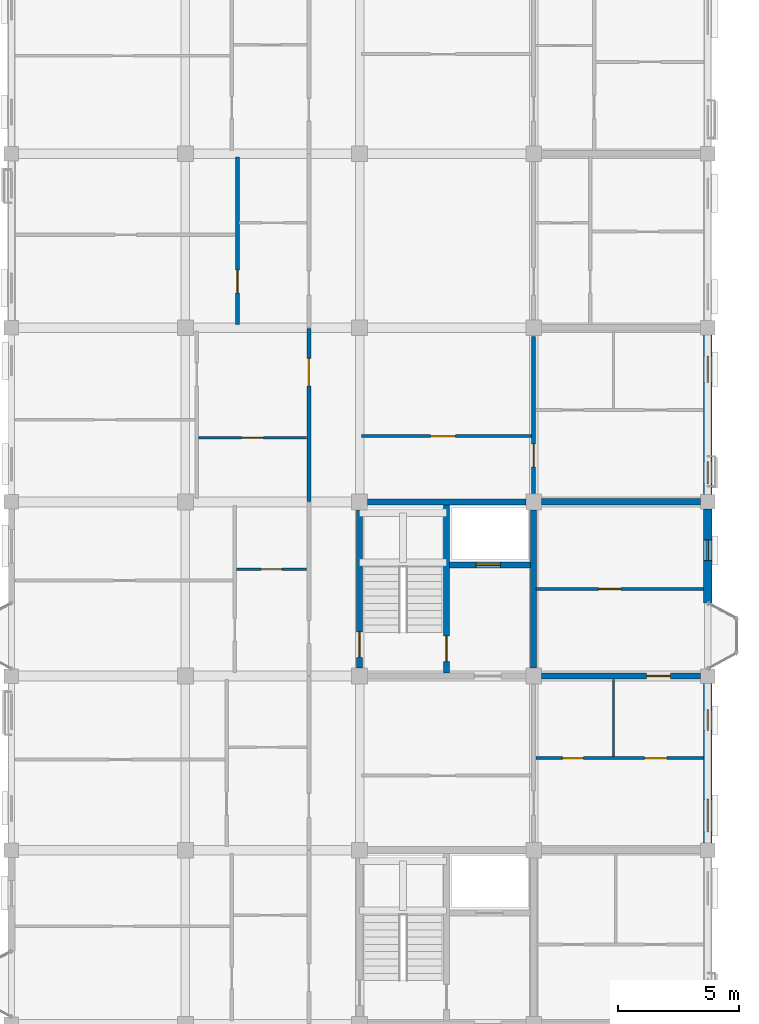
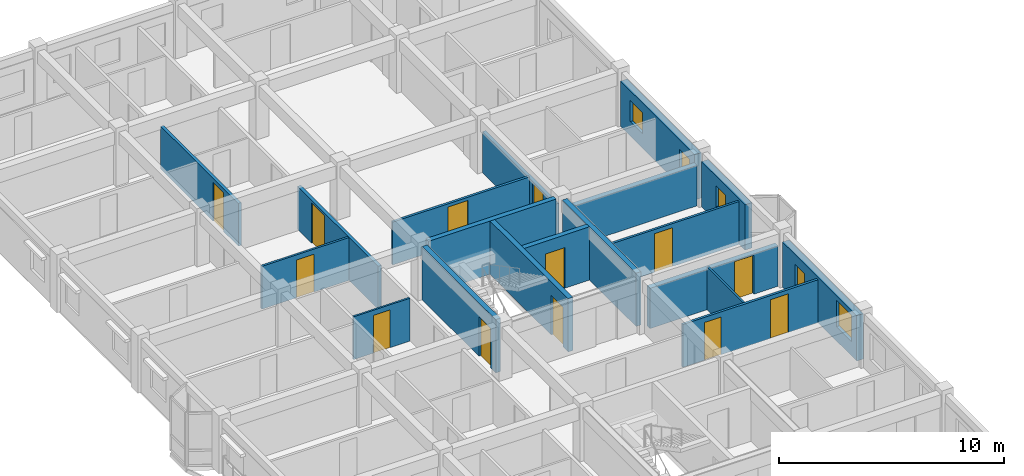
# One storey, part 103 of 124: 19 walls, 13 doors, 5 windows, 18 openings.
"""IFC4 building model written with IfcOpenShell, lengths in metres."""

from ifc_helpers import new_model, si_unit, direction, frame, frame_2d, origin, place, context, subcontext, project, spatial, rectangle, extrude, material, layer, layer_set, type_object, element, fill, save


model = new_model("IFC4")

# Units and contexts
model_context = context("Model", 3, precision=1e-05, world=origin(), true_north=direction((0.0, 1.0)))
body_context = subcontext(model_context, "Body", "Model", "MODEL_VIEW")
ifc_project = project(units=[si_unit("LENGTHUNIT", "METRE"), si_unit("AREAUNIT", "SQUARE_METRE"), si_unit("VOLUMEUNIT", "CUBIC_METRE"), si_unit("PLANEANGLEUNIT", "RADIAN"), si_unit("MASSUNIT", "GRAM", prefix="KILO"), si_unit("THERMODYNAMICTEMPERATUREUNIT", "KELVIN"), si_unit("POWERUNIT", "WATT")], contexts=[model_context])

# Site, building, storey
site_placement = place(None, origin())
site = spatial("IfcSite", under=ifc_project, at=site_placement, CompositionType="ELEMENT")
building_placement = place(site_placement, origin())
building = spatial("IfcBuilding", under=site, at=building_placement, Name="Tavuni Mirador Residences", CompositionType="ELEMENT")
storey_placement = place(building_placement, frame((0.0, 0.0, 7.64990234375)))
storey = spatial("IfcBuildingStorey", under=building, at=storey_placement, Name="L02", CompositionType="ELEMENT", Elevation=7.64990234375)

# Wall, opening, door
ifc_material_1 = material(Name="Precast concrete C40/50", Category="concrete")
ifc_layer_1 = layer(ifc_material_1, 0.25, Name="Precast concrete C40/50", Category="concrete")
ifc_layer_set_1 = layer_set([ifc_layer_1], Name="Precast concrete C40/50")
wall_type_1 = type_object("IfcWallType", Name="WT-COR250", PredefinedType="SHEAR", material=ifc_layer_set_1)
wall_1_placement = place(storey_placement, frame((104.39990234375, 108.324951171875, 0.0), z_axis=(0.0, 0.0, 1.0), x_axis=(0.0, 1.0, 0.0)))
wall_1 = element("IfcWall", 1, at=wall_1_placement, inside=storey, type_object=wall_type_1, Name="CWALL-C8-L02-W", PredefinedType="SHEAR", context=body_context, shape_type="SweptSolid", body=[
    extrude(rectangle(XDim=6.550048828125, YDim=0.25, at=frame_2d((3.27490234375, 0.0))), origin(), (0.0, 0.0, 1.0), 2.89013671875),
])
opening_1_placement = place(wall_1_placement, frame((0.449951171875, 0.0, 0.0)))
opening_1 = element("IfcOpeningElement", 2, at=opening_1_placement, cuts=wall_1, Name="Opening D-01", PredefinedType="OPENING", context=body_context, shape_type="SweptSolid", body=[
    extrude(rectangle(XDim=1.050048828125, YDim=2.14990234375, at=frame_2d((0.52490234375, 1.074951171875))), frame((0.0, 0.135009765625, 0.0), z_axis=(0.0, -1.0, 0.0), x_axis=(1.0, 0.0, 0.0)), (0.0, 0.0, 1.0), 0.27001953125),
])
ifc_material_2 = material(Name="Solid core iroko timber", Category="wood")
door_type_1 = type_object("IfcDoorType", Name="DT-ST1050", OperationType="NOTDEFINED", PredefinedType="DOOR", material=ifc_material_2)
door_1_placement = place(opening_1_placement, origin())
door_1 = element("IfcDoor", 3, at=door_1_placement, inside=storey, type_object=door_type_1, Name="DR-2321", OperationType="SINGLE_SWING_RIGHT", OverallHeight=2.14990234375, OverallWidth=1.050048828125, PredefinedType="DOOR", context=body_context, shape_type="SweptSolid", body=[
    extrude(rectangle(XDim=1.050048828125, YDim=2.14990234375, at=frame_2d((0.52490234375, 1.074951171875))), frame((0.0, 0.02490234375, 0.0), z_axis=(0.0, -1.0, 0.0), x_axis=(1.0, 0.0, 0.0)), (0.0, 0.0, 1.0), 0.050048828125),
])
fill(opening_1, door_1)

# Walls
wall_2_placement = place(storey_placement, frame((104.72509765625, 115.199951171875, 0.0), z_axis=(0.0, 0.0, 1.0), x_axis=(1.0, 0.0, 0.0)))
element("IfcWall", 4, at=wall_2_placement, inside=storey, type_object=wall_type_1, Name="CWALL-C8-L02-N", PredefinedType="SHEAR", context=body_context, shape_type="SweptSolid", body=[
    extrude(rectangle(XDim=6.5498046875, YDim=0.25, at=frame_2d((3.27490234375, 0.0))), origin(), (0.0, 0.0, 1.0), 2.89013671875),
])
wall_3_placement = place(storey_placement, frame((111.60009765625, 108.324951171875, 0.0), z_axis=(0.0, 0.0, 1.0), x_axis=(0.0, 1.0, 0.0)))
element("IfcWall", 5, at=wall_3_placement, inside=storey, type_object=wall_type_1, Name="CWALL-C8-L02-E", PredefinedType="SHEAR", context=body_context, shape_type="SweptSolid", body=[
    extrude(rectangle(XDim=6.550048828125, YDim=0.25, at=frame_2d((3.27490234375, 0.0))), origin(), (0.0, 0.0, 1.0), 2.89013671875),
])

# Wall, opening, door
wall_4_placement = place(storey_placement, frame((108.0, 108.125, 0.0), z_axis=(0.0, 0.0, 1.0), x_axis=(0.0, 1.0, 0.0)))
wall_4 = element("IfcWall", 6, at=wall_4_placement, inside=storey, type_object=wall_type_1, Name="CWALL-C8-L02-MID", PredefinedType="SHEAR", context=body_context, shape_type="SweptSolid", body=[
    extrude(rectangle(XDim=6.949951171875, YDim=0.25, at=frame_2d((3.47509765625, 0.0))), origin(), (0.0, 0.0, 1.0), 2.89013671875),
])
opening_2_placement = place(wall_4_placement, frame((0.47509765625, 0.0, 0.0)))
opening_2 = element("IfcOpeningElement", 7, at=opening_2_placement, cuts=wall_4, Name="Opening D-01", PredefinedType="OPENING", context=body_context, shape_type="SweptSolid", body=[
    extrude(rectangle(XDim=1.050048828125, YDim=2.14990234375, at=frame_2d((0.52490234375, 1.074951171875))), frame((0.0, 0.135009765625, 0.0), z_axis=(0.0, -1.0, 0.0), x_axis=(1.0, 0.0, 0.0)), (0.0, 0.0, 1.0), 0.27001953125),
])
door_2_placement = place(opening_2_placement, origin())
door_2 = element("IfcDoor", 8, at=door_2_placement, inside=storey, type_object=door_type_1, Name="DR-2323", OperationType="SINGLE_SWING_LEFT", OverallHeight=2.14990234375, OverallWidth=1.050048828125, PredefinedType="DOOR", context=body_context, shape_type="SweptSolid", body=[
    extrude(rectangle(XDim=1.050048828125, YDim=2.14990234375, at=frame_2d((0.52490234375, 1.074951171875))), frame((0.0, 0.02490234375, 0.0), z_axis=(0.0, -1.0, 0.0), x_axis=(1.0, 0.0, 0.0)), (0.0, 0.0, 1.0), 0.050048828125),
])
fill(opening_2, door_2)

wall_5_placement = place(storey_placement, frame((108.125, 112.60009765625, 0.0), z_axis=(0.0, 0.0, 1.0), x_axis=(1.0, 0.0, 0.0)))
wall_5 = element("IfcWall", 9, at=wall_5_placement, inside=storey, type_object=wall_type_1, Name="CWALL-C8-L02-SHF", PredefinedType="SHEAR", context=body_context, shape_type="SweptSolid", body=[
    extrude(rectangle(XDim=3.35009765625, YDim=0.25, at=frame_2d((1.675048828125, 0.0))), origin(), (0.0, 0.0, 1.0), 2.89013671875),
])
opening_3_placement = place(wall_5_placement, frame((1.10009765625, 0.0, 0.0)))
opening_3 = element("IfcOpeningElement", 10, at=opening_3_placement, cuts=wall_5, Name="Opening LD-02", PredefinedType="OPENING", context=body_context, shape_type="SweptSolid", body=[
    extrude(rectangle(XDim=1.0, YDim=2.199951171875, at=frame_2d((0.5, 1.10009765625))), frame((0.0, 0.135009765625, 0.0), z_axis=(0.0, -1.0, 0.0), x_axis=(1.0, 0.0, 0.0)), (0.0, 0.0, 1.0), 0.27001953125),
])
ifc_material_3 = material(Name="Structural steel S355", Category="steel")
door_type_2 = type_object("IfcDoorType", Name="DT-LD-PAX", OperationType="SLIDING_TO_LEFT", PredefinedType="DOOR", material=ifc_material_3)
door_3_placement = place(opening_3_placement, origin())
door_3 = element("IfcDoor", 11, at=door_3_placement, inside=storey, type_object=door_type_2, Name="Lift landing door PL-D1 L02", OperationType="SLIDING_TO_LEFT", OverallHeight=2.199951171875, OverallWidth=1.0, PredefinedType="DOOR", context=body_context, shape_type="SweptSolid", body=[
    extrude(rectangle(XDim=1.0, YDim=2.199951171875, at=frame_2d((0.5, 1.10009765625))), frame((0.0, 0.02490234375, 0.0), z_axis=(0.0, -1.0, 0.0), x_axis=(1.0, 0.0, 0.0)), (0.0, 0.0, 1.0), 0.050048828125),
])
fill(opening_3, door_3)

ifc_layer_2 = layer(ifc_material_1, 0.1650390625, Name="Precast concrete C40/50", Category="concrete")
ifc_layer_set_2 = layer_set([ifc_layer_2], Name="Precast concrete C40/50")
wall_type_2 = type_object("IfcWallType", Name="WT-CORR165", PredefinedType="PARTITIONING", material=ifc_layer_set_2)
wall_6_placement = place(storey_placement, frame((102.300048828125, 115.219970703125, 0.0), z_axis=(0.0, 0.0, 1.0), x_axis=(0.0, 1.0, 0.0)))
wall_6 = element("IfcWall", 12, at=wall_6_placement, inside=storey, type_object=wall_type_2, Name="CORW-BLK-D-L02-0-04", PredefinedType="PARTITIONING", context=body_context, shape_type="SweptSolid", body=[
    extrude(rectangle(XDim=7.159912109375, YDim=0.1650390625, at=frame_2d((3.580078125, 0.0))), origin(), (0.0, 0.0, 1.0), 2.3251953125),
])
opening_4_placement = place(wall_6_placement, frame((4.780029296875, 0.0, 0.0)))
opening_4 = element("IfcOpeningElement", 13, at=opening_4_placement, cuts=wall_6, Name="Opening D-20", PredefinedType="OPENING", context=body_context, shape_type="SweptSolid", body=[
    extrude(rectangle(XDim=1.139892578125, YDim=2.179931640625, at=frame_2d((0.56982421875, 1.08984375))), frame((0.0, 0.092529296875, 0.0), z_axis=(0.0, -1.0, 0.0), x_axis=(1.0, 0.0, 0.0)), (0.0, 0.0, 1.0), 0.18505859375),
])
door_type_3 = type_object("IfcDoorType", Name="DT-FD60-1140", OperationType="NOTDEFINED", PredefinedType="DOOR", material=ifc_material_2)
door_4_placement = place(opening_4_placement, origin())
door_4 = element("IfcDoor", 14, at=door_4_placement, inside=storey, type_object=door_type_3, Name="DR-2837", OperationType="SINGLE_SWING_RIGHT", OverallHeight=2.179931640625, OverallWidth=1.139892578125, PredefinedType="DOOR", context=body_context, shape_type="SweptSolid", body=[
    extrude(rectangle(XDim=1.139892578125, YDim=2.179931640625, at=frame_2d((0.56982421875, 1.08984375))), frame((0.0, 0.02490234375, 0.0), z_axis=(0.0, -1.0, 0.0), x_axis=(1.0, 0.0, 0.0)), (0.0, 0.0, 1.0), 0.050048828125),
])
fill(opening_4, door_4)

wall_7_placement = place(storey_placement, frame((111.60009765625, 115.550048828125, 0.0), z_axis=(0.0, 0.0, 1.0), x_axis=(0.0, 1.0, 0.0)))
wall_7 = element("IfcWall", 15, at=wall_7_placement, inside=storey, type_object=wall_type_2, Name="CORW-BLK-D-L02-1-04", PredefinedType="PARTITIONING", context=body_context, shape_type="SweptSolid", body=[
    extrude(rectangle(XDim=6.5, YDim=0.1650390625, at=frame_2d((3.25, 0.0))), origin(), (0.0, 0.0, 1.0), 2.239990234375),
])
opening_5_placement = place(wall_7_placement, frame((1.10009765625, 0.0, 0.0)))
opening_5 = element("IfcOpeningElement", 16, at=opening_5_placement, cuts=wall_7, Name="Opening D-19", PredefinedType="OPENING", context=body_context, shape_type="SweptSolid", body=[
    extrude(rectangle(XDim=0.93994140625, YDim=2.1201171875, at=frame_2d((0.469970703125, 1.06005859375))), frame((0.0, 0.092529296875, 0.0), z_axis=(0.0, -1.0, 0.0), x_axis=(1.0, 0.0, 0.0)), (0.0, 0.0, 1.0), 0.18505859375),
])
door_type_4 = type_object("IfcDoorType", Name="DT-FD60-940", OperationType="NOTDEFINED", PredefinedType="DOOR", material=ifc_material_2)
door_5_placement = place(opening_5_placement, origin())
door_5 = element("IfcDoor", 17, at=door_5_placement, inside=storey, type_object=door_type_4, Name="DR-2842", OperationType="SINGLE_SWING_LEFT", OverallHeight=2.1201171875, OverallWidth=0.93994140625, PredefinedType="DOOR", context=body_context, shape_type="SweptSolid", body=[
    extrude(rectangle(XDim=0.93994140625, YDim=2.1201171875, at=frame_2d((0.469970703125, 1.06005859375))), frame((0.0, 0.02490234375, 0.0), z_axis=(0.0, -1.0, 0.0), x_axis=(1.0, 0.0, 0.0)), (0.0, 0.0, 1.0), 0.050048828125),
])
fill(opening_5, door_5)

# Wall, openings, windows
ifc_material_4 = material(Name="Sgraffito lime-rendered precast concrete C40/50", Category="concrete")
ifc_layer_3 = layer(ifc_material_4, 0.344970703125, Name="Sgraffito lime-rendered precast concrete C40/50", Category="concrete")
ifc_layer_set_3 = layer_set([ifc_layer_3], Name="Sgraffito lime-rendered precast concrete C40/50")
wall_type_3 = type_object("IfcWallType", Name="WT-EXT-PTY345", PredefinedType="SOLIDWALL", material=ifc_layer_set_3)
wall_8_placement = place(storey_placement, frame((118.800048828125, 101.10009765625, 0.0), z_axis=(0.0, 0.0, 1.0), x_axis=(0.0, 1.0, 0.0)))
wall_8 = element("IfcWall", 18, at=wall_8_placement, inside=storey, type_object=wall_type_3, Name="EW-BLK-D-L02-E02", PredefinedType="SOLIDWALL", context=body_context, shape_type="SweptSolid", body=[
    extrude(rectangle(XDim=6.599853515625, YDim=0.344970703125, at=frame_2d((3.2998046875, 0.0))), origin(), (0.0, 0.0, 1.0), 2.460205078125),
])
opening_6_placement = place(wall_8_placement, frame((0.449951171875, 0.0, 0.780029296875)))
opening_6 = element("IfcOpeningElement", 19, at=opening_6_placement, cuts=wall_8, Name="Opening WN-29", PredefinedType="OPENING", context=body_context, shape_type="SweptSolid", body=[
    extrude(rectangle(XDim=1.35009765625, YDim=1.43994140625, at=frame_2d((0.675048828125, 0.719970703125))), frame((0.0, 0.1826171875, 0.0), z_axis=(0.0, -1.0, 0.0), x_axis=(1.0, 0.0, 0.0)), (0.0, 0.0, 1.0), 0.364990234375),
])
opening_7_placement = place(wall_8_placement, frame((4.64990234375, 0.0, 0.780029296875)))
opening_7 = element("IfcOpeningElement", 20, at=opening_7_placement, cuts=wall_8, Name="Opening WN-01", PredefinedType="OPENING", context=body_context, shape_type="SweptSolid", body=[
    extrude(rectangle(XDim=0.85009765625, YDim=1.14990234375, at=frame_2d((0.425048828125, 0.574951171875))), frame((0.0, 0.1826171875, 0.0), z_axis=(0.0, -1.0, 0.0), x_axis=(1.0, 0.0, 0.0)), (0.0, 0.0, 1.0), 0.364990234375),
])
ifc_material_5 = material(Name="Laminated solar-control glass", Category="glass")
window_type_1 = type_object("IfcWindowType", Name="WNT-01", PartitioningType="SINGLE_PANEL", PredefinedType="WINDOW", material=ifc_material_5)
window_1_placement = place(opening_7_placement, origin())
window_1 = element("IfcWindow", 21, at=window_1_placement, inside=storey, type_object=window_type_1, Name="WIN-1497", OverallHeight=1.14990234375, OverallWidth=0.85009765625, PartitioningType="SINGLE_PANEL", PredefinedType="WINDOW", context=body_context, shape_type="SweptSolid", body=[
    extrude(rectangle(XDim=0.85009765625, YDim=1.14990234375, at=frame_2d((0.425048828125, 0.574951171875))), frame((0.0, 0.030029296875, 0.0), z_axis=(0.0, -1.0, 0.0), x_axis=(1.0, 0.0, 0.0)), (0.0, 0.0, 1.0), 0.06005859375),
])
fill(opening_7, window_1)
window_type_2 = type_object("IfcWindowType", Name="WNT-29", PartitioningType="SINGLE_PANEL", PredefinedType="WINDOW", material=ifc_material_5)
window_2_placement = place(opening_6_placement, origin())
window_2 = element("IfcWindow", 22, at=window_2_placement, inside=storey, type_object=window_type_2, Name="WIN-1496", OverallHeight=1.43994140625, OverallWidth=1.35009765625, PartitioningType="SINGLE_PANEL", PredefinedType="WINDOW", context=body_context, shape_type="SweptSolid", body=[
    extrude(rectangle(XDim=1.35009765625, YDim=1.43994140625, at=frame_2d((0.675048828125, 0.719970703125))), frame((0.0, 0.030029296875, 0.0), z_axis=(0.0, -1.0, 0.0), x_axis=(1.0, 0.0, 0.0)), (0.0, 0.0, 1.0), 0.06005859375),
])
fill(opening_6, window_2)

# Wall, opening, window
wall_9_placement = place(storey_placement, frame((118.800048828125, 111.02001953125, 0.0), z_axis=(0.0, 0.0, 1.0), x_axis=(0.0, 1.0, 0.0)))
wall_9 = element("IfcWall", 23, at=wall_9_placement, inside=storey, type_object=wall_type_3, Name="EW-BLK-D-L02-E03", PredefinedType="SOLIDWALL", context=body_context, shape_type="SweptSolid", body=[
    extrude(rectangle(XDim=3.8798828125, YDim=0.344970703125, at=frame_2d((1.93994140625, 0.0))), origin(), (0.0, 0.0, 1.0), 2.460205078125),
])
opening_8_placement = place(wall_9_placement, frame((1.75, 0.0, 0.780029296875)))
opening_8 = element("IfcOpeningElement", 24, at=opening_8_placement, cuts=wall_9, Name="Opening WN-01", PredefinedType="OPENING", context=body_context, shape_type="SweptSolid", body=[
    extrude(rectangle(XDim=0.85009765625, YDim=1.14990234375, at=frame_2d((0.425048828125, 0.574951171875))), frame((0.0, 0.1826171875, 0.0), z_axis=(0.0, -1.0, 0.0), x_axis=(1.0, 0.0, 0.0)), (0.0, 0.0, 1.0), 0.364990234375),
])
window_3_placement = place(opening_8_placement, origin())
window_3 = element("IfcWindow", 25, at=window_3_placement, inside=storey, type_object=window_type_1, Name="WIN-1498", OverallHeight=1.14990234375, OverallWidth=0.85009765625, PartitioningType="SINGLE_PANEL", PredefinedType="WINDOW", context=body_context, shape_type="SweptSolid", body=[
    extrude(rectangle(XDim=0.85009765625, YDim=1.14990234375, at=frame_2d((0.425048828125, 0.574951171875))), frame((0.0, 0.030029296875, 0.0), z_axis=(0.0, -1.0, 0.0), x_axis=(1.0, 0.0, 0.0)), (0.0, 0.0, 1.0), 0.06005859375),
])
fill(opening_8, window_3)

# Wall, openings, windows
wall_10_placement = place(storey_placement, frame((118.800048828125, 115.5, 0.0), z_axis=(0.0, 0.0, 1.0), x_axis=(0.0, 1.0, 0.0)))
wall_10 = element("IfcWall", 26, at=wall_10_placement, inside=storey, type_object=wall_type_3, Name="EW-BLK-D-L02-E04", PredefinedType="SOLIDWALL", context=body_context, shape_type="SweptSolid", body=[
    extrude(rectangle(XDim=6.60009765625, YDim=0.344970703125, at=frame_2d((3.300048828125, 0.0))), origin(), (0.0, 0.0, 1.0), 2.460205078125),
])
opening_9_placement = place(wall_10_placement, frame((0.449951171875, 0.0, 0.780029296875)))
opening_9 = element("IfcOpeningElement", 27, at=opening_9_placement, cuts=wall_10, Name="Opening WN-02", PredefinedType="OPENING", context=body_context, shape_type="SweptSolid", body=[
    extrude(rectangle(XDim=0.919921875, YDim=1.14990234375, at=frame_2d((0.4599609375, 0.574951171875))), frame((0.0, 0.1826171875, 0.0), z_axis=(0.0, -1.0, 0.0), x_axis=(1.0, 0.0, 0.0)), (0.0, 0.0, 1.0), 0.364990234375),
])
opening_10_placement = place(wall_10_placement, frame((4.64990234375, 0.0, 0.780029296875)))
opening_10 = element("IfcOpeningElement", 28, at=opening_10_placement, cuts=wall_10, Name="Opening WN-04", PredefinedType="OPENING", context=body_context, shape_type="SweptSolid", body=[
    extrude(rectangle(XDim=1.080078125, YDim=1.14990234375, at=frame_2d((0.5400390625, 0.574951171875))), frame((0.0, 0.1826171875, 0.0), z_axis=(0.0, -1.0, 0.0), x_axis=(1.0, 0.0, 0.0)), (0.0, 0.0, 1.0), 0.364990234375),
])
window_type_3 = type_object("IfcWindowType", Name="WNT-02", PartitioningType="SINGLE_PANEL", PredefinedType="WINDOW", material=ifc_material_5)
window_4_placement = place(opening_9_placement, origin())
window_4 = element("IfcWindow", 29, at=window_4_placement, inside=storey, type_object=window_type_3, Name="WIN-1499", OverallHeight=1.14990234375, OverallWidth=0.919921875, PartitioningType="SINGLE_PANEL", PredefinedType="WINDOW", context=body_context, shape_type="SweptSolid", body=[
    extrude(rectangle(XDim=0.919921875, YDim=1.14990234375, at=frame_2d((0.4599609375, 0.574951171875))), frame((0.0, 0.030029296875, 0.0), z_axis=(0.0, -1.0, 0.0), x_axis=(1.0, 0.0, 0.0)), (0.0, 0.0, 1.0), 0.06005859375),
])
fill(opening_9, window_4)
window_type_4 = type_object("IfcWindowType", Name="WNT-04", PartitioningType="SINGLE_PANEL", PredefinedType="WINDOW", material=ifc_material_5)
window_5_placement = place(opening_10_placement, origin())
window_5 = element("IfcWindow", 30, at=window_5_placement, inside=storey, type_object=window_type_4, Name="WIN-1500", OverallHeight=1.14990234375, OverallWidth=1.080078125, PartitioningType="SINGLE_PANEL", PredefinedType="WINDOW", context=body_context, shape_type="SweptSolid", body=[
    extrude(rectangle(XDim=1.080078125, YDim=1.14990234375, at=frame_2d((0.5400390625, 0.574951171875))), frame((0.0, 0.030029296875, 0.0), z_axis=(0.0, -1.0, 0.0), x_axis=(1.0, 0.0, 0.0)), (0.0, 0.0, 1.0), 0.06005859375),
])
fill(opening_10, window_5)

# Wall
ifc_material_6 = material(Name="Acoustic gypsum and concrete block partition", Category="concrete")
ifc_layer_4 = layer(ifc_material_6, 0.094970703125, Name="Acoustic gypsum and concrete block partition", Category="concrete")
ifc_layer_set_4 = layer_set([ifc_layer_4], Name="Acoustic gypsum and concrete block partition")
wall_type_4 = type_object("IfcWallType", Name="WT-PART095", PredefinedType="PARTITIONING", material=ifc_layer_set_4)
wall_11_placement = place(storey_placement, frame((114.89990234375, 104.669921875, 0.0), z_axis=(0.0, 0.0, 1.0), x_axis=(0.0, 1.0, 0.0)))
element("IfcWall", 31, at=wall_11_placement, inside=storey, type_object=wall_type_4, Name="PW-BLK-D-L02-PF02-V", PredefinedType="PARTITIONING", context=body_context, shape_type="SweptSolid", body=[
    extrude(rectangle(XDim=3.190185546875, YDim=0.094970703125, at=frame_2d((1.59521484375, 0.0))), origin(), (0.0, 0.0, 1.0), 2.3251953125),
])

# Wall, opening, door
wall_12_placement = place(storey_placement, frame((99.31005859375, 112.419921875, 0.0), z_axis=(0.0, 0.0, 1.0), x_axis=(1.0, 0.0, 0.0)))
wall_12 = element("IfcWall", 32, at=wall_12_placement, inside=storey, type_object=wall_type_4, Name="PW-BLK-D-L02-W03-IN1", PredefinedType="PARTITIONING", context=body_context, shape_type="SweptSolid", body=[
    extrude(rectangle(XDim=2.89990234375, YDim=0.094970703125, at=frame_2d((1.449951171875, 0.0))), origin(), (0.0, 0.0, 1.0), 2.3251953125),
])
opening_11_placement = place(wall_12_placement, frame((1.014892578125, 0.0, 0.0)))
opening_11 = element("IfcOpeningElement", 33, at=opening_11_placement, cuts=wall_12, Name="Opening D-10", PredefinedType="OPENING", context=body_context, shape_type="SweptSolid", body=[
    extrude(rectangle(XDim=0.8701171875, YDim=2.050048828125, at=frame_2d((0.43505859375, 1.02490234375))), frame((0.0, 0.0576171875, 0.0), z_axis=(0.0, -1.0, 0.0), x_axis=(1.0, 0.0, 0.0)), (0.0, 0.0, 1.0), 0.114990234375),
])
door_type_5 = type_object("IfcDoorType", Name="DT-WC870", OperationType="NOTDEFINED", PredefinedType="DOOR", material=ifc_material_2)
door_6_placement = place(opening_11_placement, origin())
door_6 = element("IfcDoor", 34, at=door_6_placement, inside=storey, type_object=door_type_5, Name="DR-4370", OperationType="SINGLE_SWING_LEFT", OverallHeight=2.050048828125, OverallWidth=0.8701171875, PredefinedType="DOOR", context=body_context, shape_type="SweptSolid", body=[
    extrude(rectangle(XDim=0.8701171875, YDim=2.050048828125, at=frame_2d((0.43505859375, 1.02490234375))), frame((0.0, 0.02490234375, 0.0), z_axis=(0.0, -1.0, 0.0), x_axis=(1.0, 0.0, 0.0)), (0.0, 0.0, 1.0), 0.050048828125),
])
fill(opening_11, door_6)

ifc_layer_5 = layer(ifc_material_6, 0.10498046875, Name="Acoustic gypsum and concrete block partition", Category="concrete")
ifc_layer_set_5 = layer_set([ifc_layer_5], Name="Acoustic gypsum and concrete block partition")
wall_type_5 = type_object("IfcWallType", Name="WT-PART105", PredefinedType="PARTITIONING", material=ifc_layer_set_5)
wall_13_placement = place(storey_placement, frame((97.739990234375, 117.85009765625, 0.0), z_axis=(0.0, 0.0, 1.0), x_axis=(1.0, 0.0, 0.0)))
wall_13 = element("IfcWall", 35, at=wall_13_placement, inside=storey, type_object=wall_type_5, Name="PW-BLK-D-L02-W04-IN1", PredefinedType="PARTITIONING", context=body_context, shape_type="SweptSolid", body=[
    extrude(rectangle(XDim=4.469970703125, YDim=0.10498046875, at=frame_2d((2.23486328125, 0.0))), origin(), (0.0, 0.0, 1.0), 2.3251953125),
])
opening_12_placement = place(wall_13_placement, frame((1.784912109375, 0.0, 0.0)))
opening_12 = element("IfcOpeningElement", 36, at=opening_12_placement, cuts=wall_13, Name="Opening D-09", PredefinedType="OPENING", context=body_context, shape_type="SweptSolid", body=[
    extrude(rectangle(XDim=0.89990234375, YDim=2.050048828125, at=frame_2d((0.449951171875, 1.02490234375))), frame((0.0, 0.0625, 0.0), z_axis=(0.0, -1.0, 0.0), x_axis=(1.0, 0.0, 0.0)), (0.0, 0.0, 1.0), 0.125),
])
door_type_6 = type_object("IfcDoorType", Name="DT-WC900", OperationType="NOTDEFINED", PredefinedType="DOOR", material=ifc_material_2)
door_7_placement = place(opening_12_placement, origin())
door_7 = element("IfcDoor", 37, at=door_7_placement, inside=storey, type_object=door_type_6, Name="DR-4375", OperationType="SINGLE_SWING_RIGHT", OverallHeight=2.050048828125, OverallWidth=0.89990234375, PredefinedType="DOOR", context=body_context, shape_type="SweptSolid", body=[
    extrude(rectangle(XDim=0.89990234375, YDim=2.050048828125, at=frame_2d((0.449951171875, 1.02490234375))), frame((0.0, 0.02490234375, 0.0), z_axis=(0.0, -1.0, 0.0), x_axis=(1.0, 0.0, 0.0)), (0.0, 0.0, 1.0), 0.050048828125),
])
fill(opening_12, door_7)

ifc_layer_6 = layer(ifc_material_6, 0.114990234375, Name="Acoustic gypsum and concrete block partition", Category="concrete")
ifc_layer_set_6 = layer_set([ifc_layer_6], Name="Acoustic gypsum and concrete block partition")
wall_type_6 = type_object("IfcWallType", Name="WT-PART115", PredefinedType="PARTITIONING", material=ifc_layer_set_6)
wall_14_placement = place(storey_placement, frame((111.68994140625, 111.60009765625, 0.0), z_axis=(0.0, 0.0, 1.0), x_axis=(1.0, 0.0, 0.0)))
wall_14 = element("IfcWall", 38, at=wall_14_placement, inside=storey, type_object=wall_type_6, Name="PW-BLK-D-L02-PF03-H", PredefinedType="PARTITIONING", context=body_context, shape_type="SweptSolid", body=[
    extrude(rectangle(XDim=6.93505859375, YDim=0.114990234375, at=frame_2d((3.467529296875, 0.0))), origin(), (0.0, 0.0, 1.0), 2.3251953125),
])
opening_13_placement = place(wall_14_placement, frame((2.60009765625, 0.0, 0.0)))
opening_13 = element("IfcOpeningElement", 39, at=opening_13_placement, cuts=wall_14, Name="Opening D-06", PredefinedType="OPENING", context=body_context, shape_type="SweptSolid", body=[
    extrude(rectangle(XDim=0.919921875, YDim=2.10009765625, at=frame_2d((0.4599609375, 1.050048828125))), frame((0.0, 0.0673828125, 0.0), z_axis=(0.0, -1.0, 0.0), x_axis=(1.0, 0.0, 0.0)), (0.0, 0.0, 1.0), 0.135009765625),
])
door_type_7 = type_object("IfcDoorType", Name="DT-INT920", OperationType="NOTDEFINED", PredefinedType="DOOR", material=ifc_material_2)
door_8_placement = place(opening_13_placement, origin())
door_8 = element("IfcDoor", 40, at=door_8_placement, inside=storey, type_object=door_type_7, Name="DR-4372", OperationType="SINGLE_SWING_RIGHT", OverallHeight=2.10009765625, OverallWidth=0.919921875, PredefinedType="DOOR", context=body_context, shape_type="SweptSolid", body=[
    extrude(rectangle(XDim=0.919921875, YDim=2.10009765625, at=frame_2d((0.4599609375, 1.050048828125))), frame((0.0, 0.02490234375, 0.0), z_axis=(0.0, -1.0, 0.0), x_axis=(1.0, 0.0, 0.0)), (0.0, 0.0, 1.0), 0.050048828125),
])
fill(opening_13, door_8)

# Wall, openings, doors
ifc_layer_7 = layer(ifc_material_6, 0.125, Name="Acoustic gypsum and concrete block partition", Category="concrete")
ifc_layer_set_7 = layer_set([ifc_layer_7], Name="Acoustic gypsum and concrete block partition")
wall_type_7 = type_object("IfcWallType", Name="WT-PART125", PredefinedType="PARTITIONING", material=ifc_layer_set_7)
wall_15_placement = place(storey_placement, frame((111.68994140625, 104.60009765625, 0.0), z_axis=(0.0, 0.0, 1.0), x_axis=(1.0, 0.0, 0.0)))
wall_15 = element("IfcWall", 41, at=wall_15_placement, inside=storey, type_object=wall_type_7, Name="PW-BLK-D-L02-PF02-H", PredefinedType="PARTITIONING", context=body_context, shape_type="SweptSolid", body=[
    extrude(rectangle(XDim=6.93505859375, YDim=0.125, at=frame_2d((3.467529296875, 0.0))), origin(), (0.0, 0.0, 1.0), 2.3251953125),
])
opening_14_placement = place(wall_15_placement, frame((1.10009765625, 0.0, 0.0)))
opening_14 = element("IfcOpeningElement", 42, at=opening_14_placement, cuts=wall_15, Name="Opening D-10", PredefinedType="OPENING", context=body_context, shape_type="SweptSolid", body=[
    extrude(rectangle(XDim=0.8701171875, YDim=2.050048828125, at=frame_2d((0.43505859375, 1.02490234375))), frame((0.0, 0.072509765625, 0.0), z_axis=(0.0, -1.0, 0.0), x_axis=(1.0, 0.0, 0.0)), (0.0, 0.0, 1.0), 0.14501953125),
])
opening_15_placement = place(wall_15_placement, frame((4.5, 0.0, 0.0)))
opening_15 = element("IfcOpeningElement", 43, at=opening_15_placement, cuts=wall_15, Name="Opening D-06", PredefinedType="OPENING", context=body_context, shape_type="SweptSolid", body=[
    extrude(rectangle(XDim=0.919921875, YDim=2.10009765625, at=frame_2d((0.4599609375, 1.050048828125))), frame((0.0, 0.072509765625, 0.0), z_axis=(0.0, -1.0, 0.0), x_axis=(1.0, 0.0, 0.0)), (0.0, 0.0, 1.0), 0.14501953125),
])
door_9_placement = place(opening_15_placement, origin())
door_9 = element("IfcDoor", 44, at=door_9_placement, inside=storey, type_object=door_type_7, Name="DR-4368", OperationType="SINGLE_SWING_RIGHT", OverallHeight=2.10009765625, OverallWidth=0.919921875, PredefinedType="DOOR", context=body_context, shape_type="SweptSolid", body=[
    extrude(rectangle(XDim=0.919921875, YDim=2.10009765625, at=frame_2d((0.4599609375, 1.050048828125))), frame((0.0, 0.02490234375, 0.0), z_axis=(0.0, -1.0, 0.0), x_axis=(1.0, 0.0, 0.0)), (0.0, 0.0, 1.0), 0.050048828125),
])
fill(opening_15, door_9)
door_10_placement = place(opening_14_placement, origin())
door_10 = element("IfcDoor", 45, at=door_10_placement, inside=storey, type_object=door_type_5, Name="DR-4367", OperationType="SINGLE_SWING_LEFT", OverallHeight=2.050048828125, OverallWidth=0.8701171875, PredefinedType="DOOR", context=body_context, shape_type="SweptSolid", body=[
    extrude(rectangle(XDim=0.8701171875, YDim=2.050048828125, at=frame_2d((0.43505859375, 1.02490234375))), frame((0.0, 0.02490234375, 0.0), z_axis=(0.0, -1.0, 0.0), x_axis=(1.0, 0.0, 0.0)), (0.0, 0.0, 1.0), 0.050048828125),
])
fill(opening_14, door_10)

# Wall, opening, door
wall_16_placement = place(storey_placement, frame((104.489990234375, 117.919921875, 0.0), z_axis=(0.0, 0.0, 1.0), x_axis=(1.0, 0.0, 0.0)))
wall_16 = element("IfcWall", 46, at=wall_16_placement, inside=storey, type_object=wall_type_7, Name="PW-SPN-BLK-D-L02-04", PredefinedType="PARTITIONING", context=body_context, shape_type="SweptSolid", body=[
    extrude(rectangle(XDim=7.02001953125, YDim=0.125, at=frame_2d((3.510009765625, 0.0))), origin(), (0.0, 0.0, 1.0), 2.3251953125),
])
opening_16_placement = place(wall_16_placement, frame((2.85009765625, 0.0, 0.0)))
opening_16 = element("IfcOpeningElement", 47, at=opening_16_placement, cuts=wall_16, Name="Opening D-13", PredefinedType="OPENING", context=body_context, shape_type="SweptSolid", body=[
    extrude(rectangle(XDim=1.02001953125, YDim=2.14990234375, at=frame_2d((0.510009765625, 1.074951171875))), frame((0.0, 0.072509765625, 0.0), z_axis=(0.0, -1.0, 0.0), x_axis=(1.0, 0.0, 0.0)), (0.0, 0.0, 1.0), 0.14501953125),
])
door_type_8 = type_object("IfcDoorType", Name="DT-MTG1020", OperationType="NOTDEFINED", PredefinedType="DOOR", material=ifc_material_2)
door_11_placement = place(opening_16_placement, origin())
door_11 = element("IfcDoor", 48, at=door_11_placement, inside=storey, type_object=door_type_8, Name="DR-4373", OperationType="SINGLE_SWING_LEFT", OverallHeight=2.14990234375, OverallWidth=1.02001953125, PredefinedType="DOOR", context=body_context, shape_type="SweptSolid", body=[
    extrude(rectangle(XDim=1.02001953125, YDim=2.14990234375, at=frame_2d((0.510009765625, 1.074951171875))), frame((0.0, 0.02490234375, 0.0), z_axis=(0.0, -1.0, 0.0), x_axis=(1.0, 0.0, 0.0)), (0.0, 0.0, 1.0), 0.050048828125),
])
fill(opening_16, door_11)

ifc_layer_8 = layer(ifc_material_6, 0.14990234375, Name="Acoustic gypsum and concrete block partition", Category="concrete")
ifc_layer_set_8 = layer_set([ifc_layer_8], Name="Acoustic gypsum and concrete block partition")
wall_type_8 = type_object("IfcWallType", Name="WT-PART150", PredefinedType="PARTITIONING", material=ifc_layer_set_8)
wall_17_placement = place(storey_placement, frame((99.35009765625, 122.5400390625, 0.0), z_axis=(0.0, 0.0, 1.0), x_axis=(0.0, 1.0, 0.0)))
wall_17 = element("IfcWall", 49, at=wall_17_placement, inside=storey, type_object=wall_type_8, Name="PW-BLK-D-L02-W05-MID", PredefinedType="PARTITIONING", context=body_context, shape_type="SweptSolid", body=[
    extrude(rectangle(XDim=6.919921875, YDim=0.14990234375, at=frame_2d((3.4599609375, 0.0))), origin(), (0.0, 0.0, 1.0), 2.3251953125),
])
opening_17_placement = place(wall_17_placement, frame((1.31005859375, 0.0, 0.0)))
opening_17 = element("IfcOpeningElement", 50, at=opening_17_placement, cuts=wall_17, Name="Opening D-05", PredefinedType="OPENING", context=body_context, shape_type="SweptSolid", body=[
    extrude(rectangle(XDim=0.949951171875, YDim=2.10009765625, at=frame_2d((0.47509765625, 1.050048828125))), frame((0.0, 0.0849609375, 0.0), z_axis=(0.0, -1.0, 0.0), x_axis=(1.0, 0.0, 0.0)), (0.0, 0.0, 1.0), 0.169921875),
])
door_type_9 = type_object("IfcDoorType", Name="DT-INT950", OperationType="NOTDEFINED", PredefinedType="DOOR", material=ifc_material_2)
door_12_placement = place(opening_17_placement, origin())
door_12 = element("IfcDoor", 51, at=door_12_placement, inside=storey, type_object=door_type_9, Name="DR-4381", OperationType="SINGLE_SWING_LEFT", OverallHeight=2.10009765625, OverallWidth=0.949951171875, PredefinedType="DOOR", context=body_context, shape_type="SweptSolid", body=[
    extrude(rectangle(XDim=0.949951171875, YDim=2.10009765625, at=frame_2d((0.47509765625, 1.050048828125))), frame((0.0, 0.02490234375, 0.0), z_axis=(0.0, -1.0, 0.0), x_axis=(1.0, 0.0, 0.0)), (0.0, 0.0, 1.0), 0.050048828125),
])
fill(opening_17, door_12)

ifc_layer_9 = layer(ifc_material_1, 0.264892578125, Name="Precast concrete C40/50", Category="concrete")
ifc_layer_set_9 = layer_set([ifc_layer_9], Name="Precast concrete C40/50")
wall_type_9 = type_object("IfcWallType", Name="WT-XW265", PredefinedType="SOLIDWALL", material=ifc_layer_set_9)
wall_18_placement = place(storey_placement, frame((111.925048828125, 108.0, 0.0), z_axis=(0.0, 0.0, 1.0), x_axis=(1.0, 0.0, 0.0)))
wall_18 = element("IfcWall", 52, at=wall_18_placement, inside=storey, type_object=wall_type_9, Name="XW-BLK-D-L02-E-03", PredefinedType="SOLIDWALL", context=body_context, shape_type="SweptSolid", body=[
    extrude(rectangle(XDim=6.574951171875, YDim=0.264892578125, at=frame_2d((3.28759765625, 0.0))), origin(), (0.0, 0.0, 1.0), 2.190185546875),
])
opening_18_placement = place(wall_18_placement, frame((4.35009765625, 0.0, 0.0)))
opening_18 = element("IfcOpeningElement", 53, at=opening_18_placement, cuts=wall_18, Name="Opening D-04", PredefinedType="OPENING", context=body_context, shape_type="SweptSolid", body=[
    extrude(rectangle(XDim=0.97998046875, YDim=2.1201171875, at=frame_2d((0.489990234375, 1.06005859375))), frame((0.0, 0.142578125, 0.0), z_axis=(0.0, -1.0, 0.0), x_axis=(1.0, 0.0, 0.0)), (0.0, 0.0, 1.0), 0.284912109375),
])
door_type_10 = type_object("IfcDoorType", Name="DT-FD60-980", OperationType="NOTDEFINED", PredefinedType="DOOR", material=ifc_material_2)
door_13_placement = place(opening_18_placement, origin())
door_13 = element("IfcDoor", 54, at=door_13_placement, inside=storey, type_object=door_type_10, Name="DR-4763", OperationType="SINGLE_SWING_RIGHT", OverallHeight=2.1201171875, OverallWidth=0.97998046875, PredefinedType="DOOR", context=body_context, shape_type="SweptSolid", body=[
    extrude(rectangle(XDim=0.97998046875, YDim=2.1201171875, at=frame_2d((0.489990234375, 1.06005859375))), frame((0.0, 0.02490234375, 0.0), z_axis=(0.0, -1.0, 0.0), x_axis=(1.0, 0.0, 0.0)), (0.0, 0.0, 1.0), 0.050048828125),
])
fill(opening_18, door_13)

# Wall
wall_19_placement = place(storey_placement, frame((111.925048828125, 115.199951171875, 0.0), z_axis=(0.0, 0.0, 1.0), x_axis=(1.0, 0.0, 0.0)))
element("IfcWall", 55, at=wall_19_placement, inside=storey, type_object=wall_type_9, Name="XW-BLK-D-L02-E-04", PredefinedType="SOLIDWALL", context=body_context, shape_type="SweptSolid", body=[
    extrude(rectangle(XDim=6.574951171875, YDim=0.264892578125, at=frame_2d((3.28759765625, 0.0))), origin(), (0.0, 0.0, 1.0), 2.190185546875),
])

save(model, "model.ifc")
